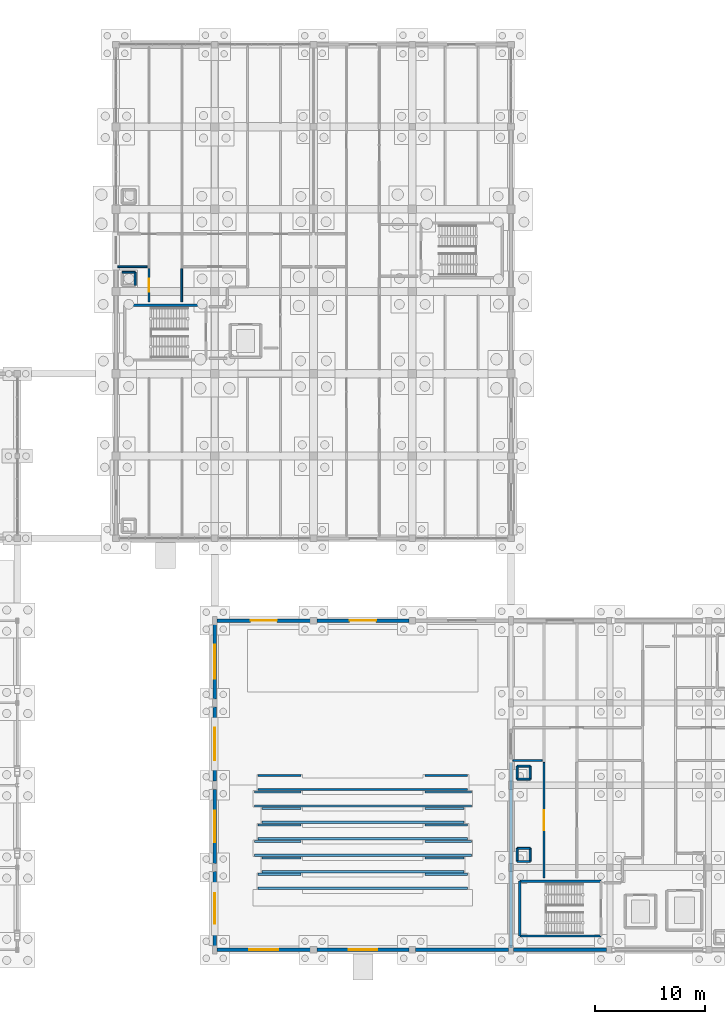
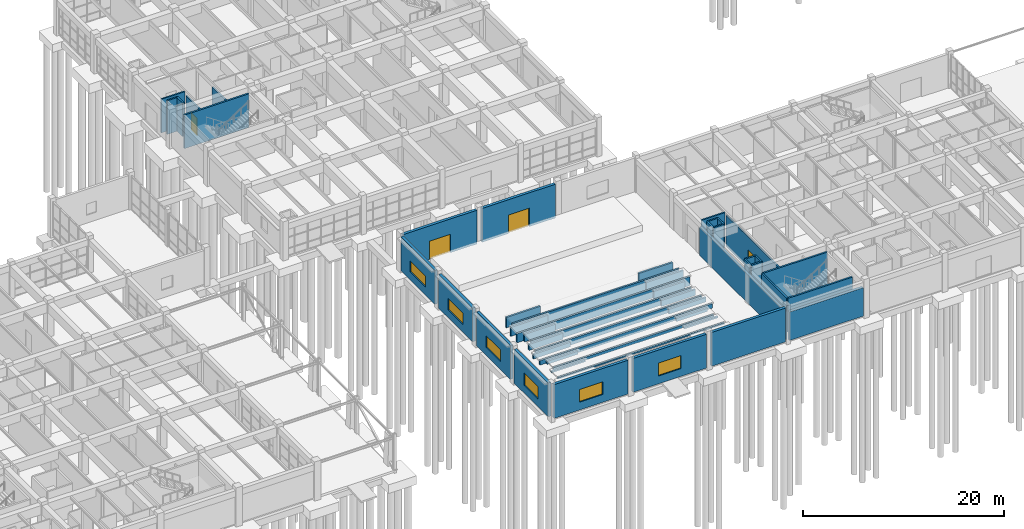
# One storey, part 80 of 93: 51 walls, 6 windows, 4 doors, 10 openings.
"""IFC4 building model written with IfcOpenShell, lengths in metres."""

from ifc_helpers import new_model, si_unit, direction, frame, frame_2d, origin, place, context, subcontext, project, spatial, rectangle, extrude, material, layer, layer_set, type_object, element, fill, save


model = new_model("IFC4")

# Units and contexts
model_context = context("Model", 3, precision=1e-05, world=origin(), true_north=direction((0.0, 1.0)))
body_context = subcontext(model_context, "Body", "Model", "MODEL_VIEW")
ifc_project = project(units=[si_unit("LENGTHUNIT", "METRE"), si_unit("AREAUNIT", "SQUARE_METRE"), si_unit("VOLUMEUNIT", "CUBIC_METRE"), si_unit("PLANEANGLEUNIT", "RADIAN"), si_unit("MASSUNIT", "GRAM", prefix="KILO")], contexts=[model_context])

# Site, building, storey
site_placement = place(None, origin())
site = spatial("IfcSite", under=ifc_project, at=site_placement, CompositionType="ELEMENT")
building_placement = place(site_placement, origin())
building = spatial("IfcBuilding", under=site, at=building_placement, Name="Marnridge Secondary College", CompositionType="ELEMENT")
storey_placement = place(building_placement, origin())
storey = spatial("IfcBuildingStorey", under=building, at=storey_placement, Name="L00", CompositionType="ELEMENT", Elevation=0.0)

# Walls
ifc_material_1 = material(Name="Acoustic plasterboard on steel Grade 350 framing Rw50", Category="steel")
ifc_layer_1 = layer(ifc_material_1, 0.27001953125)
ifc_layer_set_1 = layer_set([ifc_layer_1], Name="WT-AC-VAR08")
wall_type_1 = type_object("IfcWallType", Name="WT-AC-VAR08", PredefinedType="PARTITIONING", material=ifc_layer_set_1)
wall_1_placement = place(storey_placement, frame((90.0, 17.090087890625, 0.0), z_axis=(0.0, 0.0, 1.0), x_axis=(0.0, -1.0, 0.0)))
element("IfcWall", 1, at=wall_1_placement, inside=storey, type_object=wall_type_1, Name="Interior partition WP-L00-0036", PredefinedType="PARTITIONING", context=body_context, shape_type="SweptSolid", body=[
    extrude(rectangle(XDim=16.93017578125, YDim=0.27001953125, at=frame_2d((8.465087890625, 0.0))), origin(), (0.0, 0.0, 1.0), 3.44189453125),
])
ifc_material_2 = material(Name="Concrete C40/50 (AS 3600 N40, 40 MPa)", Category="concrete")
ifc_layer_2 = layer(ifc_material_2, 0.199951171875)
ifc_layer_set_2 = layer_set([ifc_layer_2], Name="WT-CORE-RC200")
wall_type_2 = type_object("IfcWallType", Name="WT-CORE-RC200", PredefinedType="SHEAR", material=ifc_layer_set_2)
wall_2_placement = place(storey_placement, frame((66.949951171875, 5.6201171875, 0.0), z_axis=(0.0, 0.0, 1.0), x_axis=(1.0, 0.0, 0.0)))
element("IfcWall", 2, at=wall_2_placement, inside=storey, type_object=wall_type_2, Name="Auditorium tier riser wall WC-L00-STIER02", PredefinedType="SHEAR", context=body_context, shape_type="SweptSolid", body=[
    extrude(rectangle(XDim=19.10009765625, YDim=0.199951171875, at=frame_2d((9.550048828125, 0.0))), origin(), (0.0, 0.0, 1.0), 0.18994140625),
])
for number, where, z_axis, x_axis, name in (
    (3, (66.949951171875, 6.8798828125, 0.0), (0.0, 0.0, 1.0), (1.0, 0.0, 0.0), "Auditorium tier rear wall WC-L00-STIER02L"),
    (4, (82.14990234375, 6.8798828125, 0.0), (0.0, 0.0, 1.0), (1.0, 0.0, 0.0), "Auditorium tier rear wall WC-L00-STIER02R"),
):
    element("IfcWall", number, at=place(storey_placement, frame(where, z_axis=z_axis, x_axis=x_axis)), inside=storey, type_object=wall_type_2, Name=name, PredefinedType="SHEAR", context=body_context, shape_type="SweptSolid", body=[
        extrude(rectangle(XDim=3.900146484375, YDim=0.199951171875, at=frame_2d((1.9501953125, 0.0))), origin(), (0.0, 0.0, 1.0), 0.18994140625),
    ])
wall_3_placement = place(storey_placement, frame((67.300048828125, 7.1201171875, 0.0), z_axis=(0.0, 0.0, 1.0), x_axis=(1.0, 0.0, 0.0)))
element("IfcWall", 5, at=wall_3_placement, inside=storey, type_object=wall_type_2, Name="Auditorium tier riser wall WC-L00-STIER03", PredefinedType="SHEAR", context=body_context, shape_type="SweptSolid", body=[
    extrude(rectangle(XDim=18.39990234375, YDim=0.199951171875, at=frame_2d((9.199951171875, 0.0))), origin(), (0.0, 0.0, 1.0), 0.3701171875),
])
for number, where, z_axis, x_axis, name in (
    (6, (67.300048828125, 8.3798828125, 0.0), (0.0, 0.0, 1.0), (1.0, 0.0, 0.0), "Auditorium tier rear wall WC-L00-STIER03L"),
    (7, (82.14990234375, 8.3798828125, 0.0), (0.0, 0.0, 1.0), (1.0, 0.0, 0.0), "Auditorium tier rear wall WC-L00-STIER03R"),
):
    element("IfcWall", number, at=place(storey_placement, frame(where, z_axis=z_axis, x_axis=x_axis)), inside=storey, type_object=wall_type_2, Name=name, PredefinedType="SHEAR", context=body_context, shape_type="SweptSolid", body=[
        extrude(rectangle(XDim=3.550048828125, YDim=0.199951171875, at=frame_2d((1.77490234375, 0.0))), origin(), (0.0, 0.0, 1.0), 0.3701171875),
    ])
wall_4_placement = place(storey_placement, frame((66.60009765625, 8.6201171875, 0.0), z_axis=(0.0, 0.0, 1.0), x_axis=(1.0, 0.0, 0.0)))
element("IfcWall", 8, at=wall_4_placement, inside=storey, type_object=wall_type_2, Name="Auditorium tier riser wall WC-L00-STIER04", PredefinedType="SHEAR", context=body_context, shape_type="SweptSolid", body=[
    extrude(rectangle(XDim=19.7998046875, YDim=0.199951171875, at=frame_2d((9.89990234375, 0.0))), origin(), (0.0, 0.0, 1.0), 0.550048828125),
])
for number, where, z_axis, x_axis, name in (
    (9, (66.60009765625, 9.8798828125, 0.0), (0.0, 0.0, 1.0), (1.0, 0.0, 0.0), "Auditorium tier rear wall WC-L00-STIER04L"),
    (10, (82.14990234375, 9.8798828125, 0.0), (0.0, 0.0, 1.0), (1.0, 0.0, 0.0), "Auditorium tier rear wall WC-L00-STIER04R"),
):
    element("IfcWall", number, at=place(storey_placement, frame(where, z_axis=z_axis, x_axis=x_axis)), inside=storey, type_object=wall_type_2, Name=name, PredefinedType="SHEAR", context=body_context, shape_type="SweptSolid", body=[
        extrude(rectangle(XDim=4.25, YDim=0.199951171875, at=frame_2d((2.125, 0.0))), origin(), (0.0, 0.0, 1.0), 0.550048828125),
    ])
wall_5_placement = place(storey_placement, frame((66.949951171875, 10.1201171875, 0.0), z_axis=(0.0, 0.0, 1.0), x_axis=(1.0, 0.0, 0.0)))
element("IfcWall", 11, at=wall_5_placement, inside=storey, type_object=wall_type_2, Name="Auditorium tier riser wall WC-L00-STIER05", PredefinedType="SHEAR", context=body_context, shape_type="SweptSolid", body=[
    extrude(rectangle(XDim=19.10009765625, YDim=0.199951171875, at=frame_2d((9.550048828125, 0.0))), origin(), (0.0, 0.0, 1.0), 0.72998046875),
])
for number, where, z_axis, x_axis, name in (
    (12, (66.949951171875, 11.3798828125, 0.0), (0.0, 0.0, 1.0), (1.0, 0.0, 0.0), "Auditorium tier rear wall WC-L00-STIER05L"),
    (13, (82.14990234375, 11.3798828125, 0.0), (0.0, 0.0, 1.0), (1.0, 0.0, 0.0), "Auditorium tier rear wall WC-L00-STIER05R"),
):
    element("IfcWall", number, at=place(storey_placement, frame(where, z_axis=z_axis, x_axis=x_axis)), inside=storey, type_object=wall_type_2, Name=name, PredefinedType="SHEAR", context=body_context, shape_type="SweptSolid", body=[
        extrude(rectangle(XDim=3.900146484375, YDim=0.199951171875, at=frame_2d((1.9501953125, 0.0))), origin(), (0.0, 0.0, 1.0), 0.72998046875),
    ])
wall_6_placement = place(storey_placement, frame((67.300048828125, 11.6201171875, 0.0), z_axis=(0.0, 0.0, 1.0), x_axis=(1.0, 0.0, 0.0)))
element("IfcWall", 14, at=wall_6_placement, inside=storey, type_object=wall_type_2, Name="Auditorium tier riser wall WC-L00-STIER06", PredefinedType="SHEAR", context=body_context, shape_type="SweptSolid", body=[
    extrude(rectangle(XDim=18.39990234375, YDim=0.199951171875, at=frame_2d((9.199951171875, 0.0))), origin(), (0.0, 0.0, 1.0), 0.909912109375),
])
for number, where, z_axis, x_axis, name in (
    (15, (67.300048828125, 12.8798828125, 0.0), (0.0, 0.0, 1.0), (1.0, 0.0, 0.0), "Auditorium tier rear wall WC-L00-STIER06L"),
    (16, (82.14990234375, 12.8798828125, 0.0), (0.0, 0.0, 1.0), (1.0, 0.0, 0.0), "Auditorium tier rear wall WC-L00-STIER06R"),
):
    element("IfcWall", number, at=place(storey_placement, frame(where, z_axis=z_axis, x_axis=x_axis)), inside=storey, type_object=wall_type_2, Name=name, PredefinedType="SHEAR", context=body_context, shape_type="SweptSolid", body=[
        extrude(rectangle(XDim=3.550048828125, YDim=0.199951171875, at=frame_2d((1.77490234375, 0.0))), origin(), (0.0, 0.0, 1.0), 0.909912109375),
    ])
wall_7_placement = place(storey_placement, frame((66.60009765625, 13.1201171875, 0.0), z_axis=(0.0, 0.0, 1.0), x_axis=(1.0, 0.0, 0.0)))
element("IfcWall", 17, at=wall_7_placement, inside=storey, type_object=wall_type_2, Name="Auditorium tier riser wall WC-L00-STIER07", PredefinedType="SHEAR", context=body_context, shape_type="SweptSolid", body=[
    extrude(rectangle(XDim=19.7998046875, YDim=0.199951171875, at=frame_2d((9.89990234375, 0.0))), origin(), (0.0, 0.0, 1.0), 1.090087890625),
])
for number, where, z_axis, x_axis, name in (
    (18, (66.60009765625, 14.3798828125, 0.0), (0.0, 0.0, 1.0), (1.0, 0.0, 0.0), "Auditorium tier rear wall WC-L00-STIER07L"),
    (19, (82.14990234375, 14.3798828125, 0.0), (0.0, 0.0, 1.0), (1.0, 0.0, 0.0), "Auditorium tier rear wall WC-L00-STIER07R"),
):
    element("IfcWall", number, at=place(storey_placement, frame(where, z_axis=z_axis, x_axis=x_axis)), inside=storey, type_object=wall_type_2, Name=name, PredefinedType="SHEAR", context=body_context, shape_type="SweptSolid", body=[
        extrude(rectangle(XDim=4.25, YDim=0.199951171875, at=frame_2d((2.125, 0.0))), origin(), (0.0, 0.0, 1.0), 1.090087890625),
    ])
wall_8_placement = place(storey_placement, frame((66.949951171875, 14.6201171875, 0.0), z_axis=(0.0, 0.0, 1.0), x_axis=(1.0, 0.0, 0.0)))
element("IfcWall", 20, at=wall_8_placement, inside=storey, type_object=wall_type_2, Name="Auditorium tier riser wall WC-L00-STIER08", PredefinedType="SHEAR", context=body_context, shape_type="SweptSolid", body=[
    extrude(rectangle(XDim=19.10009765625, YDim=0.199951171875, at=frame_2d((9.550048828125, 0.0))), origin(), (0.0, 0.0, 1.0), 1.27001953125),
])
for number, where, z_axis, x_axis, name in (
    (21, (66.949951171875, 15.8798828125, 0.0), (0.0, 0.0, 1.0), (1.0, 0.0, 0.0), "Auditorium tier rear wall WC-L00-STIER08L"),
    (22, (82.14990234375, 15.8798828125, 0.0), (0.0, 0.0, 1.0), (1.0, 0.0, 0.0), "Auditorium tier rear wall WC-L00-STIER08R"),
):
    element("IfcWall", number, at=place(storey_placement, frame(where, z_axis=z_axis, x_axis=x_axis)), inside=storey, type_object=wall_type_2, Name=name, PredefinedType="SHEAR", context=body_context, shape_type="SweptSolid", body=[
        extrude(rectangle(XDim=3.900146484375, YDim=0.199951171875, at=frame_2d((1.9501953125, 0.0))), origin(), (0.0, 0.0, 1.0), 1.27001953125),
    ])
wall_9_placement = place(storey_placement, frame((62.199951171875, 58.75, 0.0), z_axis=(0.0, 0.0, 1.0), x_axis=(-1.0, 0.0, 0.0)))
element("IfcWall", 23, at=wall_9_placement, inside=storey, type_object=wall_type_2, Name="Stair core shear wall WC-L00-0251", PredefinedType="SHEAR", context=body_context, shape_type="SweptSolid", body=[
    extrude(rectangle(XDim=7.39990234375, YDim=0.199951171875, at=frame_2d((3.699951171875, 0.0))), origin(), (0.0, 0.0, 1.0), 4.080078125),
])
for number, where, z_axis, x_axis, name in (
    (24, (90.800048828125, 1.25, 0.0), (0.0, 0.0, 1.0), (1.0, 0.0, 0.0), "Stair core shear wall WC-L00-0369"),
    (25, (98.199951171875, 6.25, 0.0), (0.0, 0.0, 1.0), (-1.0, 0.0, 0.0), "Stair core shear wall WC-L00-0371"),
):
    element("IfcWall", number, at=place(storey_placement, frame(where, z_axis=z_axis, x_axis=x_axis)), inside=storey, type_object=wall_type_2, Name=name, PredefinedType="SHEAR", context=body_context, shape_type="SweptSolid", body=[
        extrude(rectangle(XDim=7.39990234375, YDim=0.199951171875, at=frame_2d((3.699951171875, 0.0))), origin(), (0.0, 0.0, 1.0), 4.10009765625),
    ])
wall_10_placement = place(storey_placement, frame((90.800048828125, 6.25, 0.0), z_axis=(0.0, 0.0, 1.0), x_axis=(0.0, -1.0, 0.0)))
element("IfcWall", 26, at=wall_10_placement, inside=storey, type_object=wall_type_2, Name="Stair core shear wall WC-L00-0372", PredefinedType="SHEAR", context=body_context, shape_type="SweptSolid", body=[
    extrude(rectangle(XDim=5.0, YDim=0.199951171875, at=frame_2d((2.5, 0.0))), origin(), (0.0, 0.0, 1.0), 4.10009765625),
])

# Wall, opening, door
ifc_material_3 = material(Name="Concrete C40/50 (AS 3600 N40, 40 MPa)", Category="concrete")
ifc_layer_3 = layer(ifc_material_3, 0.320068359375)
ifc_layer_set_3 = layer_set([ifc_layer_3], Name="WT-EXT-RC320")
wall_type_3 = type_object("IfcWallType", Name="WT-EXT-RC320", PredefinedType="SOLIDWALL", material=ifc_layer_set_3)
wall_11_placement = place(storey_placement, frame((63.220947265625, 30.0, 0.0), z_axis=(0.0, 0.0, 1.0), x_axis=(1.0, 0.0, 0.0)))
wall_11 = element("IfcWall", 27, at=wall_11_placement, inside=storey, type_object=wall_type_3, Name="Exterior wall WE-L00-0035", PredefinedType="SOLIDWALL", context=body_context, shape_type="SweptSolid", body=[
    extrude(rectangle(XDim=8.483154296875, YDim=0.320068359375, at=frame_2d((4.24169921875, 0.0))), origin(), (0.0, 0.0, 1.0), 4.10009765625),
])
opening_1_placement = place(wall_11_placement, frame((3.04150390625, 0.0, 0.0)))
opening_1 = element("IfcOpeningElement", 28, at=opening_1_placement, cuts=wall_11, Name="Opening DE-L00-012", PredefinedType="OPENING", context=body_context, shape_type="SweptSolid", body=[
    extrude(rectangle(XDim=2.39990234375, YDim=2.25, at=frame_2d((1.199951171875, 1.125))), frame((0.0, 0.169921875, 0.0), z_axis=(0.0, -1.0, 0.0), x_axis=(1.0, 0.0, 0.0)), (0.0, 0.0, 1.0), 0.340087890625),
])
ifc_material_4 = material(Name="Thermally broken aluminium and toughened glass", Category="aluminium")
door_type_1 = type_object("IfcDoorType", Name="DT-EXT-EXIT240", OperationType="DOUBLE_DOOR_SINGLE_SWING", PredefinedType="DOOR", material=ifc_material_4)
door_1_placement = place(opening_1_placement, origin())
door_1 = element("IfcDoor", 29, at=door_1_placement, inside=storey, type_object=door_type_1, Name="Civic entrance exit door DE-L00-012", OperationType="DOUBLE_DOOR_SINGLE_SWING", OverallHeight=2.25, OverallWidth=2.39990234375, PredefinedType="DOOR", context=body_context, shape_type="SweptSolid", body=[
    extrude(rectangle(XDim=2.39990234375, YDim=2.25, at=frame_2d((1.199951171875, 1.125))), frame((0.0, 0.02490234375, 0.0), z_axis=(0.0, -1.0, 0.0), x_axis=(1.0, 0.0, 0.0)), (0.0, 0.0, 1.0), 0.050048828125),
])
fill(opening_1, door_1)

wall_12_placement = place(storey_placement, frame((72.2958984375, 30.0, 0.0), z_axis=(0.0, 0.0, 1.0), x_axis=(1.0, 0.0, 0.0)))
wall_12 = element("IfcWall", 30, at=wall_12_placement, inside=storey, type_object=wall_type_3, Name="Exterior wall WE-L00-0036", PredefinedType="SOLIDWALL", context=body_context, shape_type="SweptSolid", body=[
    extrude(rectangle(XDim=8.408203125, YDim=0.320068359375, at=frame_2d((4.2041015625, 0.0))), origin(), (0.0, 0.0, 1.0), 4.10009765625),
])
opening_2_placement = place(wall_12_placement, frame((3.00390625, 0.0, 0.0)))
opening_2 = element("IfcOpeningElement", 31, at=opening_2_placement, cuts=wall_12, Name="Opening DE-L00-013", PredefinedType="OPENING", context=body_context, shape_type="SweptSolid", body=[
    extrude(rectangle(XDim=2.39990234375, YDim=2.25, at=frame_2d((1.199951171875, 1.125))), frame((0.0, 0.169921875, 0.0), z_axis=(0.0, -1.0, 0.0), x_axis=(1.0, 0.0, 0.0)), (0.0, 0.0, 1.0), 0.340087890625),
])
door_2_placement = place(opening_2_placement, origin())
door_2 = element("IfcDoor", 32, at=door_2_placement, inside=storey, type_object=door_type_1, Name="Civic entrance exit door DE-L00-013", OperationType="DOUBLE_DOOR_SINGLE_SWING", OverallHeight=2.25, OverallWidth=2.39990234375, PredefinedType="DOOR", context=body_context, shape_type="SweptSolid", body=[
    extrude(rectangle(XDim=2.39990234375, YDim=2.25, at=frame_2d((1.199951171875, 1.125))), frame((0.0, 0.02490234375, 0.0), z_axis=(0.0, -1.0, 0.0), x_axis=(1.0, 0.0, 0.0)), (0.0, 0.0, 1.0), 0.050048828125),
])
fill(opening_2, door_2)

# Walls
wall_13_placement = place(storey_placement, frame((98.7041015625, 0.0, 0.0), z_axis=(0.0, 0.0, 1.0), x_axis=(-1.0, 0.0, 0.0)))
element("IfcWall", 33, at=wall_13_placement, inside=storey, type_object=wall_type_3, Name="Exterior wall WE-L00-0046", PredefinedType="SOLIDWALL", context=body_context, shape_type="SweptSolid", body=[
    extrude(rectangle(XDim=8.483154296875, YDim=0.320068359375, at=frame_2d((4.24169921875, 0.0))), origin(), (0.0, 0.0, 1.0), 3.44189453125),
])
wall_14_placement = place(storey_placement, frame((89.779052734375, 0.0, 0.0), z_axis=(0.0, 0.0, 1.0), x_axis=(-1.0, 0.0, 0.0)))
element("IfcWall", 34, at=wall_14_placement, inside=storey, type_object=wall_type_3, Name="Exterior wall WE-L00-0047", PredefinedType="SOLIDWALL", context=body_context, shape_type="SweptSolid", body=[
    extrude(rectangle(XDim=8.483154296875, YDim=0.320068359375, at=frame_2d((4.24169921875, 0.0))), origin(), (0.0, 0.0, 1.0), 4.10009765625),
])

# Wall, opening, window
wall_15_placement = place(storey_placement, frame((80.7041015625, 0.0, 0.0), z_axis=(0.0, 0.0, 1.0), x_axis=(-1.0, 0.0, 0.0)))
wall_15 = element("IfcWall", 35, at=wall_15_placement, inside=storey, type_object=wall_type_3, Name="Exterior wall WE-L00-0048", PredefinedType="SOLIDWALL", context=body_context, shape_type="SweptSolid", body=[
    extrude(rectangle(XDim=8.408203125, YDim=0.320068359375, at=frame_2d((4.2041015625, 0.0))), origin(), (0.0, 0.0, 1.0), 4.10009765625),
])
opening_3_placement = place(wall_15_placement, frame((2.9140625, 0.0, 0.949951171875)))
opening_3 = element("IfcOpeningElement", 36, at=opening_3_placement, cuts=wall_15, Name="Opening WN-L00-0015", PredefinedType="OPENING", context=body_context, shape_type="SweptSolid", body=[
    extrude(rectangle(XDim=2.580078125, YDim=1.580078125, at=frame_2d((1.2900390625, 0.7900390625))), frame((0.0, 0.169921875, 0.0), z_axis=(0.0, -1.0, 0.0), x_axis=(1.0, 0.0, 0.0)), (0.0, 0.0, 1.0), 0.340087890625),
])
ifc_material_5 = material(Name="Solar-control low-E double glazing", Category="glass")
window_type_1 = type_object("IfcWindowType", Name="WN-EXT-V15", PartitioningType="DOUBLE_PANEL_VERTICAL", PredefinedType="WINDOW", material=ifc_material_5)
window_1_placement = place(opening_3_placement, origin())
window_1 = element("IfcWindow", 37, at=window_1_placement, inside=storey, type_object=window_type_1, Name="Facade window WN-L00-0015", OverallHeight=1.580078125, OverallWidth=2.580078125, PartitioningType="DOUBLE_PANEL_VERTICAL", PredefinedType="WINDOW", context=body_context, shape_type="SweptSolid", body=[
    extrude(rectangle(XDim=2.580078125, YDim=1.580078125, at=frame_2d((1.2900390625, 0.7900390625))), frame((0.0, 0.030029296875, 0.0), z_axis=(0.0, -1.0, 0.0), x_axis=(1.0, 0.0, 0.0)), (0.0, 0.0, 1.0), 0.06005859375),
])
fill(opening_3, window_1)

wall_16_placement = place(storey_placement, frame((71.7041015625, 0.0, 0.0), z_axis=(0.0, 0.0, 1.0), x_axis=(-1.0, 0.0, 0.0)))
wall_16 = element("IfcWall", 38, at=wall_16_placement, inside=storey, type_object=wall_type_3, Name="Exterior wall WE-L00-0049", PredefinedType="SOLIDWALL", context=body_context, shape_type="SweptSolid", body=[
    extrude(rectangle(XDim=8.483154296875, YDim=0.320068359375, at=frame_2d((4.24169921875, 0.0))), origin(), (0.0, 0.0, 1.0), 4.10009765625),
])
opening_4_placement = place(wall_16_placement, frame((2.901611328125, 0.0, 0.949951171875)))
opening_4 = element("IfcOpeningElement", 39, at=opening_4_placement, cuts=wall_16, Name="Opening WN-L00-0016", PredefinedType="OPENING", context=body_context, shape_type="SweptSolid", body=[
    extrude(rectangle(XDim=2.679931640625, YDim=1.5400390625, at=frame_2d((1.33984375, 0.77001953125))), frame((0.0, 0.169921875, 0.0), z_axis=(0.0, -1.0, 0.0), x_axis=(1.0, 0.0, 0.0)), (0.0, 0.0, 1.0), 0.340087890625),
])
ifc_material_6 = material(Name="Solar-control low-E double glazing", Category="glass")
window_type_2 = type_object("IfcWindowType", Name="WN-EXT-V16", PartitioningType="DOUBLE_PANEL_VERTICAL", PredefinedType="WINDOW", material=ifc_material_6)
window_2_placement = place(opening_4_placement, origin())
window_2 = element("IfcWindow", 40, at=window_2_placement, inside=storey, type_object=window_type_2, Name="Facade window WN-L00-0016", OverallHeight=1.5400390625, OverallWidth=2.679931640625, PartitioningType="DOUBLE_PANEL_VERTICAL", PredefinedType="WINDOW", context=body_context, shape_type="SweptSolid", body=[
    extrude(rectangle(XDim=2.679931640625, YDim=1.5400390625, at=frame_2d((1.33984375, 0.77001953125))), frame((0.0, 0.030029296875, 0.0), z_axis=(0.0, -1.0, 0.0), x_axis=(1.0, 0.0, 0.0)), (0.0, 0.0, 1.0), 0.06005859375),
])
fill(opening_4, window_2)

wall_17_placement = place(storey_placement, frame((63.0, 0.37109375, 0.0), z_axis=(0.0, 0.0, 1.0), x_axis=(0.0, 1.0, 0.0)))
wall_17 = element("IfcWall", 41, at=wall_17_placement, inside=storey, type_object=wall_type_3, Name="Exterior wall WE-L00-0050", PredefinedType="SOLIDWALL", context=body_context, shape_type="SweptSolid", body=[
    extrude(rectangle(XDim=6.7578125, YDim=0.320068359375, at=frame_2d((3.37890625, 0.0))), origin(), (0.0, 0.0, 1.0), 4.10009765625),
])
opening_5_placement = place(wall_17_placement, frame((1.989013671875, 0.0, 0.949951171875)))
opening_5 = element("IfcOpeningElement", 42, at=opening_5_placement, cuts=wall_17, Name="Opening WN-L00-0017", PredefinedType="OPENING", context=body_context, shape_type="SweptSolid", body=[
    extrude(rectangle(XDim=2.780029296875, YDim=1.5, at=frame_2d((1.39013671875, 0.75))), frame((0.0, 0.169921875, 0.0), z_axis=(0.0, -1.0, 0.0), x_axis=(1.0, 0.0, 0.0)), (0.0, 0.0, 1.0), 0.340087890625),
])
ifc_material_7 = material(Name="Solar-control low-E double glazing", Category="glass")
window_type_3 = type_object("IfcWindowType", Name="WN-EXT-V17", PartitioningType="DOUBLE_PANEL_VERTICAL", PredefinedType="WINDOW", material=ifc_material_7)
window_3_placement = place(opening_5_placement, origin())
window_3 = element("IfcWindow", 43, at=window_3_placement, inside=storey, type_object=window_type_3, Name="Facade window WN-L00-0017", OverallHeight=1.5, OverallWidth=2.780029296875, PartitioningType="DOUBLE_PANEL_VERTICAL", PredefinedType="WINDOW", context=body_context, shape_type="SweptSolid", body=[
    extrude(rectangle(XDim=2.780029296875, YDim=1.5, at=frame_2d((1.39013671875, 0.75))), frame((0.0, 0.030029296875, 0.0), z_axis=(0.0, -1.0, 0.0), x_axis=(1.0, 0.0, 0.0)), (0.0, 0.0, 1.0), 0.06005859375),
])
fill(opening_5, window_3)

wall_18_placement = place(storey_placement, frame((63.0, 7.87109375, 0.0), z_axis=(0.0, 0.0, 1.0), x_axis=(0.0, 1.0, 0.0)))
wall_18 = element("IfcWall", 44, at=wall_18_placement, inside=storey, type_object=wall_type_3, Name="Exterior wall WE-L00-0051", PredefinedType="SOLIDWALL", context=body_context, shape_type="SweptSolid", body=[
    extrude(rectangle(XDim=6.7578125, YDim=0.320068359375, at=frame_2d((3.37890625, 0.0))), origin(), (0.0, 0.0, 1.0), 4.10009765625),
])
opening_6_placement = place(wall_18_placement, frame((1.93896484375, 0.0, 0.949951171875)))
opening_6 = element("IfcOpeningElement", 45, at=opening_6_placement, cuts=wall_18, Name="Opening WN-L00-0018", PredefinedType="OPENING", context=body_context, shape_type="SweptSolid", body=[
    extrude(rectangle(XDim=2.8798828125, YDim=1.43994140625, at=frame_2d((1.43994140625, 0.719970703125))), frame((0.0, 0.169921875, 0.0), z_axis=(0.0, -1.0, 0.0), x_axis=(1.0, 0.0, 0.0)), (0.0, 0.0, 1.0), 0.340087890625),
])
ifc_material_8 = material(Name="Solar-control low-E double glazing", Category="glass")
window_type_4 = type_object("IfcWindowType", Name="WN-EXT-V18", PartitioningType="DOUBLE_PANEL_VERTICAL", PredefinedType="WINDOW", material=ifc_material_8)
window_4_placement = place(opening_6_placement, origin())
window_4 = element("IfcWindow", 46, at=window_4_placement, inside=storey, type_object=window_type_4, Name="Facade window WN-L00-0018", OverallHeight=1.43994140625, OverallWidth=2.8798828125, PartitioningType="DOUBLE_PANEL_VERTICAL", PredefinedType="WINDOW", context=body_context, shape_type="SweptSolid", body=[
    extrude(rectangle(XDim=2.8798828125, YDim=1.43994140625, at=frame_2d((1.43994140625, 0.719970703125))), frame((0.0, 0.030029296875, 0.0), z_axis=(0.0, -1.0, 0.0), x_axis=(1.0, 0.0, 0.0)), (0.0, 0.0, 1.0), 0.06005859375),
])
fill(opening_6, window_4)

wall_19_placement = place(storey_placement, frame((63.0, 15.37109375, 0.0), z_axis=(0.0, 0.0, 1.0), x_axis=(0.0, 1.0, 0.0)))
wall_19 = element("IfcWall", 47, at=wall_19_placement, inside=storey, type_object=wall_type_3, Name="Exterior wall WE-L00-0052", PredefinedType="SOLIDWALL", context=body_context, shape_type="SweptSolid", body=[
    extrude(rectangle(XDim=6.7578125, YDim=0.320068359375, at=frame_2d((3.37890625, 0.0))), origin(), (0.0, 0.0, 1.0), 4.10009765625),
])
opening_7_placement = place(wall_19_placement, frame((1.888916015625, 0.0, 0.949951171875)))
opening_7 = element("IfcOpeningElement", 48, at=opening_7_placement, cuts=wall_19, Name="Opening WN-L00-0019", PredefinedType="OPENING", context=body_context, shape_type="SweptSolid", body=[
    extrude(rectangle(XDim=2.97998046875, YDim=1.3798828125, at=frame_2d((1.489990234375, 0.68994140625))), frame((0.0, 0.169921875, 0.0), z_axis=(0.0, -1.0, 0.0), x_axis=(1.0, 0.0, 0.0)), (0.0, 0.0, 1.0), 0.340087890625),
])
ifc_material_9 = material(Name="Solar-control low-E double glazing", Category="glass")
window_type_5 = type_object("IfcWindowType", Name="WN-EXT-V19", PartitioningType="DOUBLE_PANEL_VERTICAL", PredefinedType="WINDOW", material=ifc_material_9)
window_5_placement = place(opening_7_placement, origin())
window_5 = element("IfcWindow", 49, at=window_5_placement, inside=storey, type_object=window_type_5, Name="Facade window WN-L00-0019", OverallHeight=1.3798828125, OverallWidth=2.97998046875, PartitioningType="DOUBLE_PANEL_VERTICAL", PredefinedType="WINDOW", context=body_context, shape_type="SweptSolid", body=[
    extrude(rectangle(XDim=2.97998046875, YDim=1.3798828125, at=frame_2d((1.489990234375, 0.68994140625))), frame((0.0, 0.030029296875, 0.0), z_axis=(0.0, -1.0, 0.0), x_axis=(1.0, 0.0, 0.0)), (0.0, 0.0, 1.0), 0.06005859375),
])
fill(opening_7, window_5)

wall_20_placement = place(storey_placement, frame((63.0, 22.87109375, 0.0), z_axis=(0.0, 0.0, 1.0), x_axis=(0.0, 1.0, 0.0)))
wall_20 = element("IfcWall", 50, at=wall_20_placement, inside=storey, type_object=wall_type_3, Name="Exterior wall WE-L00-0053", PredefinedType="SOLIDWALL", context=body_context, shape_type="SweptSolid", body=[
    extrude(rectangle(XDim=6.7578125, YDim=0.320068359375, at=frame_2d((3.37890625, 0.0))), origin(), (0.0, 0.0, 1.0), 4.10009765625),
])
opening_8_placement = place(wall_20_placement, frame((1.819091796875, 0.0, 0.949951171875)))
opening_8 = element("IfcOpeningElement", 51, at=opening_8_placement, cuts=wall_20, Name="Opening WN-L00-0020", PredefinedType="OPENING", context=body_context, shape_type="SweptSolid", body=[
    extrude(rectangle(XDim=3.1201171875, YDim=1.340087890625, at=frame_2d((1.56005859375, 0.669921875))), frame((0.0, 0.169921875, 0.0), z_axis=(0.0, -1.0, 0.0), x_axis=(1.0, 0.0, 0.0)), (0.0, 0.0, 1.0), 0.340087890625),
])
ifc_material_10 = material(Name="Solar-control low-E double glazing", Category="glass")
window_type_6 = type_object("IfcWindowType", Name="WN-EXT-V20", PartitioningType="DOUBLE_PANEL_VERTICAL", PredefinedType="WINDOW", material=ifc_material_10)
window_6_placement = place(opening_8_placement, origin())
window_6 = element("IfcWindow", 52, at=window_6_placement, inside=storey, type_object=window_type_6, Name="Facade window WN-L00-0020", OverallHeight=1.340087890625, OverallWidth=3.1201171875, PartitioningType="DOUBLE_PANEL_VERTICAL", PredefinedType="WINDOW", context=body_context, shape_type="SweptSolid", body=[
    extrude(rectangle(XDim=3.1201171875, YDim=1.340087890625, at=frame_2d((1.56005859375, 0.669921875))), frame((0.0, 0.030029296875, 0.0), z_axis=(0.0, -1.0, 0.0), x_axis=(1.0, 0.0, 0.0)), (0.0, 0.0, 1.0), 0.06005859375),
])
fill(opening_8, window_6)

# Wall
ifc_material_11 = material(Name="Acoustic plasterboard on twin steel Grade 350 framing Rw55", Category="steel")
ifc_layer_4 = layer(ifc_material_11, 0.1650390625)
ifc_layer_set_4 = layer_set([ifc_layer_4], Name="WT-PART-AC165")
wall_type_4 = type_object("IfcWallType", Name="WT-PART-AC165", PredefinedType="PARTITIONING", material=ifc_layer_set_4)
wall_21_placement = place(storey_placement, frame((60.0, 62.090087890625, 0.0), z_axis=(0.0, 0.0, 1.0), x_axis=(0.0, -1.0, 0.0)))
element("IfcWall", 53, at=wall_21_placement, inside=storey, type_object=wall_type_4, Name="Interior partition WP-L00-0020", PredefinedType="PARTITIONING", context=body_context, shape_type="SweptSolid", body=[
    extrude(rectangle(XDim=3.0400390625, YDim=0.1650390625, at=frame_2d((1.52001953125, 0.0))), origin(), (0.0, 0.0, 1.0), 3.6220703125),
])

# Wall, opening, door
wall_22_placement = place(storey_placement, frame((57.0, 62.090087890625, 0.0), z_axis=(0.0, 0.0, 1.0), x_axis=(0.0, -1.0, 0.0)))
wall_22 = element("IfcWall", 54, at=wall_22_placement, inside=storey, type_object=wall_type_4, Name="Interior partition WP-L00-0021", PredefinedType="PARTITIONING", context=body_context, shape_type="SweptSolid", body=[
    extrude(rectangle(XDim=3.0400390625, YDim=0.1650390625, at=frame_2d((1.52001953125, 0.0))), origin(), (0.0, 0.0, 1.0), 3.6220703125),
])
opening_9_placement = place(wall_22_placement, frame((0.919921875, 0.0, 0.0)))
opening_9 = element("IfcOpeningElement", 55, at=opening_9_placement, cuts=wall_22, Name="Opening DI-L00-0008", PredefinedType="OPENING", context=body_context, shape_type="SweptSolid", body=[
    extrude(rectangle(XDim=1.199951171875, YDim=2.14990234375, at=frame_2d((0.60009765625, 1.074951171875))), frame((0.0, 0.092529296875, 0.0), z_axis=(0.0, -1.0, 0.0), x_axis=(1.0, 0.0, 0.0)), (0.0, 0.0, 1.0), 0.18505859375),
])
ifc_material_12 = material(Name="Galvanised steel Grade 350 plant-room fire doorset", Category="steel")
door_type_2 = type_object("IfcDoorType", Name="DT-PLT-120", OperationType="NOTDEFINED", PredefinedType="DOOR", material=ifc_material_12)
door_3_placement = place(opening_9_placement, origin())
door_3 = element("IfcDoor", 56, at=door_3_placement, inside=storey, type_object=door_type_2, Name="Interior door DI-L00-0008", OperationType="SINGLE_SWING_RIGHT", OverallHeight=2.14990234375, OverallWidth=1.199951171875, PredefinedType="DOOR", context=body_context, shape_type="SweptSolid", body=[
    extrude(rectangle(XDim=1.199951171875, YDim=2.14990234375, at=frame_2d((0.60009765625, 1.074951171875))), frame((0.0, 0.02490234375, 0.0), z_axis=(0.0, -1.0, 0.0), x_axis=(1.0, 0.0, 0.0)), (0.0, 0.0, 1.0), 0.050048828125),
])
fill(opening_9, door_3)

# Wall
wall_23_placement = place(storey_placement, frame((56.840087890625, 62.25, 0.0), z_axis=(0.0, 0.0, 1.0), x_axis=(-1.0, 0.0, 0.0)))
element("IfcWall", 57, at=wall_23_placement, inside=storey, type_object=wall_type_4, Name="Interior partition WP-L00-0022", PredefinedType="PARTITIONING", context=body_context, shape_type="SweptSolid", body=[
    extrude(rectangle(XDim=2.68017578125, YDim=0.1650390625, at=frame_2d((1.340087890625, 0.0))), origin(), (0.0, 0.0, 1.0), 4.080078125),
])

# Wall, opening, door
wall_24_placement = place(storey_placement, frame((93.0, 17.090087890625, 0.0), z_axis=(0.0, 0.0, 1.0), x_axis=(0.0, -1.0, 0.0)))
wall_24 = element("IfcWall", 58, at=wall_24_placement, inside=storey, type_object=wall_type_4, Name="Interior partition WP-L00-0044", PredefinedType="PARTITIONING", context=body_context, shape_type="SweptSolid", body=[
    extrude(rectangle(XDim=10.5400390625, YDim=0.1650390625, at=frame_2d((5.27001953125, 0.0))), origin(), (0.0, 0.0, 1.0), 3.7880859375),
])
opening_10_placement = place(wall_24_placement, frame((4.3701171875, 0.0, 0.0)))
opening_10 = element("IfcOpeningElement", 59, at=opening_10_placement, cuts=wall_24, Name="Opening DI-L00-0018", PredefinedType="OPENING", context=body_context, shape_type="SweptSolid", body=[
    extrude(rectangle(XDim=1.800048828125, YDim=2.25, at=frame_2d((0.89990234375, 1.125))), frame((0.0, 0.092529296875, 0.0), z_axis=(0.0, -1.0, 0.0), x_axis=(1.0, 0.0, 0.0)), (0.0, 0.0, 1.0), 0.18505859375),
])
ifc_material_13 = material(Name="Acoustic double assembly doorset", Category="wood")
door_type_3 = type_object("IfcDoorType", Name="DT-HALL-180", OperationType="DOUBLE_DOOR_SINGLE_SWING", PredefinedType="DOOR", material=ifc_material_13)
door_4_placement = place(opening_10_placement, origin())
door_4 = element("IfcDoor", 60, at=door_4_placement, inside=storey, type_object=door_type_3, Name="Interior door DI-L00-0018", OperationType="DOUBLE_DOOR_SINGLE_SWING", OverallHeight=2.25, OverallWidth=1.800048828125, PredefinedType="DOOR", context=body_context, shape_type="SweptSolid", body=[
    extrude(rectangle(XDim=1.800048828125, YDim=2.25, at=frame_2d((0.89990234375, 1.125))), frame((0.0, 0.02490234375, 0.0), z_axis=(0.0, -1.0, 0.0), x_axis=(1.0, 0.0, 0.0)), (0.0, 0.0, 1.0), 0.050048828125),
])
fill(opening_10, door_4)

# Walls
wall_25_placement = place(storey_placement, frame((90.159912109375, 17.25, 0.0), z_axis=(0.0, 0.0, 1.0), x_axis=(1.0, 0.0, 0.0)))
element("IfcWall", 61, at=wall_25_placement, inside=storey, type_object=wall_type_4, Name="Interior partition WP-L00-0045", PredefinedType="PARTITIONING", context=body_context, shape_type="SweptSolid", body=[
    extrude(rectangle(XDim=2.68017578125, YDim=0.1650390625, at=frame_2d((1.340087890625, 0.0))), origin(), (0.0, 0.0, 1.0), 4.10009765625),
])
ifc_material_14 = material(Name="Concrete C40/50 (AS 3600 N40, 40 MPa)", Category="concrete")
ifc_layer_5 = layer(ifc_material_14, 0.179931640625)
ifc_layer_set_5 = layer_set([ifc_layer_5], Name="WT-SHAFT-RC180")
wall_type_5 = type_object("IfcWallType", Name="WT-SHAFT-RC180", PredefinedType="SHEAR", material=ifc_layer_set_5)
for number, where, z_axis, x_axis, name in (
    (62, (54.550048828125, 61.75, 0.0), (0.0, 0.0, 1.0), (1.0, 0.0, 0.0), "Service riser shaft wall WR-L00-0007"),
    (63, (55.75, 61.75, 0.0), (0.0, 0.0, 1.0), (0.0, -1.0, 0.0), "Service riser shaft wall WR-L00-0008"),
):
    element("IfcWall", number, at=place(storey_placement, frame(where, z_axis=z_axis, x_axis=x_axis)), inside=storey, type_object=wall_type_5, Name=name, PredefinedType="SHEAR", context=body_context, shape_type="SweptSolid", body=[
        extrude(rectangle(XDim=1.199951171875, YDim=0.179931640625, at=frame_2d((0.60009765625, 0.0))), origin(), (0.0, 0.0, 1.0), 4.080078125),
    ])
for number, where, z_axis, x_axis, name in (
    (64, (91.75, 8.050048828125, 0.0), (0.0, 0.0, 1.0), (-1.0, 0.0, 0.0), "Service riser shaft wall WR-L00-0025"),
    (65, (90.550048828125, 8.050048828125, 0.0), (0.0, 0.0, 1.0), (0.0, 1.0, 0.0), "Service riser shaft wall WR-L00-0026"),
    (66, (90.550048828125, 9.25, 0.0), (0.0, 0.0, 1.0), (1.0, 0.0, 0.0), "Service riser shaft wall WR-L00-0027"),
    (67, (91.75, 9.25, 0.0), (0.0, 0.0, 1.0), (0.0, -1.0, 0.0), "Service riser shaft wall WR-L00-0028"),
    (68, (91.75, 15.550048828125, 0.0), (0.0, 0.0, 1.0), (-1.0, 0.0, 0.0), "Service riser shaft wall WR-L00-0029"),
    (69, (90.550048828125, 15.550048828125, 0.0), (0.0, 0.0, 1.0), (0.0, 1.0, 0.0), "Service riser shaft wall WR-L00-0030"),
    (70, (90.550048828125, 16.75, 0.0), (0.0, 0.0, 1.0), (1.0, 0.0, 0.0), "Service riser shaft wall WR-L00-0031"),
    (71, (91.75, 16.75, 0.0), (0.0, 0.0, 1.0), (0.0, -1.0, 0.0), "Service riser shaft wall WR-L00-0032"),
):
    element("IfcWall", number, at=place(storey_placement, frame(where, z_axis=z_axis, x_axis=x_axis)), inside=storey, type_object=wall_type_5, Name=name, PredefinedType="SHEAR", context=body_context, shape_type="SweptSolid", body=[
        extrude(rectangle(XDim=1.199951171875, YDim=0.179931640625, at=frame_2d((0.60009765625, 0.0))), origin(), (0.0, 0.0, 1.0), 4.10009765625),
    ])

save(model, "model.ifc")
